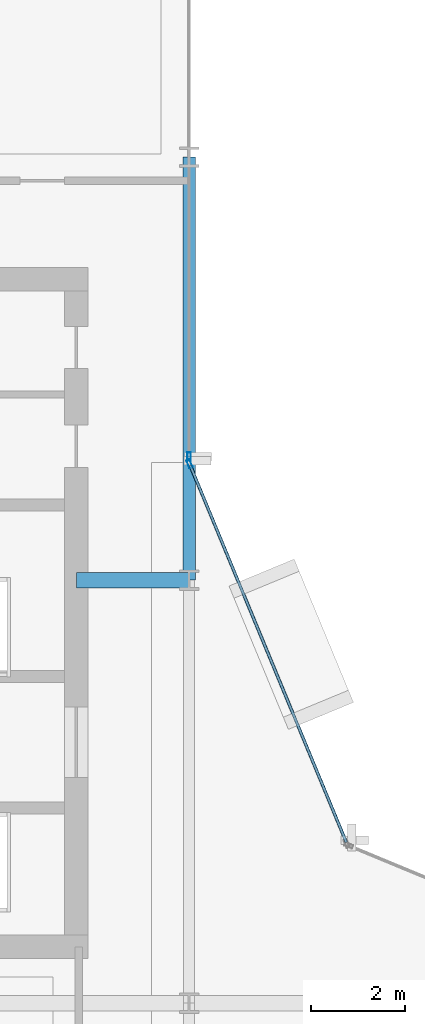
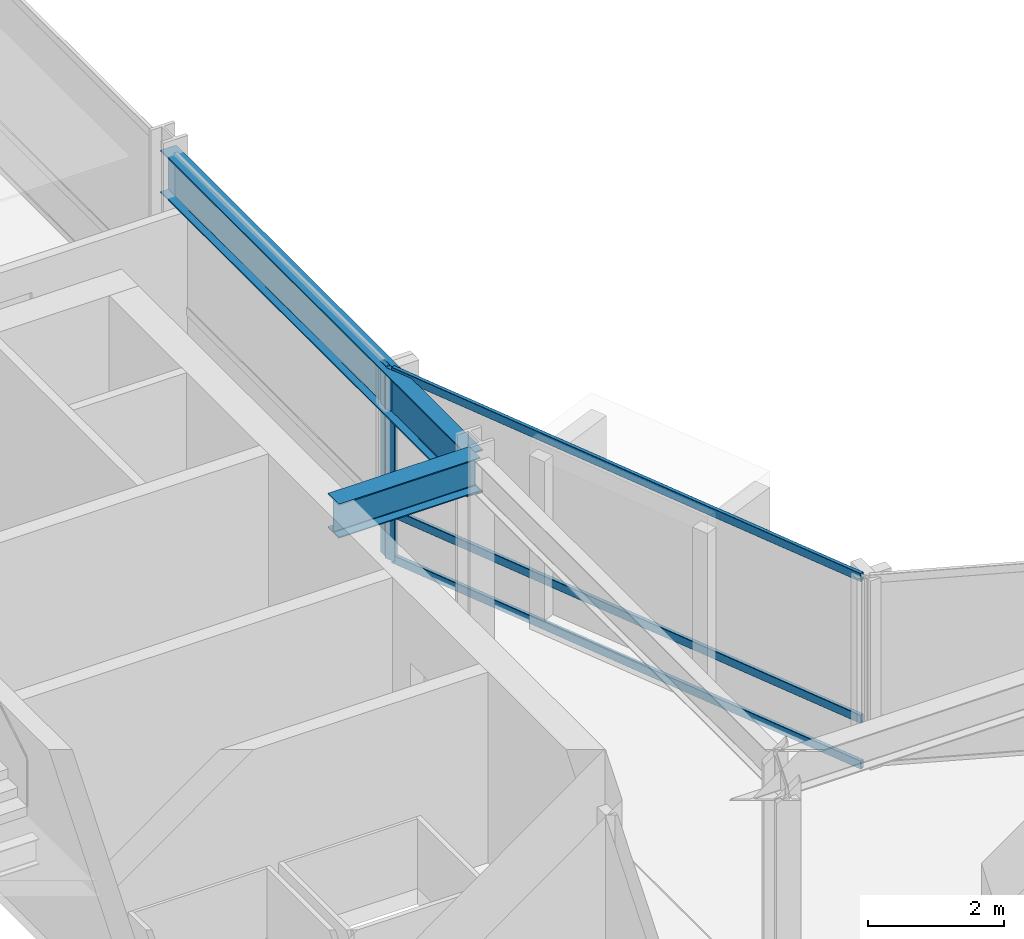
# One storey, part 17 of 29: 5 members, 2 beams, 2 elements without a shape of their own.
"""IFC4 building model written with IfcOpenShell, lengths in metres."""

from ifc_helpers import new_model, si_unit, direction, frame, origin, origin_2d, place, context, subcontext, project, spatial, hollow_rectangle, i_section, extrude, material, layer, layer_set, material_profile, profile_set, type_object, element, aggregate, save


model = new_model("IFC4")

# Units and contexts
model_context = context("Model", 3, precision=1e-05, world=origin(), true_north=direction((0.0, 1.0)))
body_context = subcontext(model_context, "Body", "Model", "MODEL_VIEW")
ifc_project = project(units=[si_unit("LENGTHUNIT", "METRE"), si_unit("AREAUNIT", "SQUARE_METRE"), si_unit("VOLUMEUNIT", "CUBIC_METRE"), si_unit("PLANEANGLEUNIT", "RADIAN"), si_unit("MASSUNIT", "GRAM", prefix="KILO")], contexts=[model_context])

# Site, building, storey
site_placement = place(None, origin())
site = spatial("IfcSite", under=ifc_project, at=site_placement, CompositionType="ELEMENT")
building_placement = place(site_placement, origin())
building = spatial("IfcBuilding", under=site, at=building_placement, Name="Solvaryn Broadcast Tower", CompositionType="ELEMENT")
storey_placement = place(building_placement, frame((0.0, 0.0, 143.300048828125)))
storey = spatial("IfcBuildingStorey", under=building, at=storey_placement, Name="L35", CompositionType="ELEMENT", Elevation=143.300048828125)

# Beams
ifc_material_1 = material(Name="Steel ASTM A992 Grade 50", Category="steel")
ifc_material_profile_1 = material_profile(ifc_material_1, i_section(OverallWidth=0.323974609375, OverallDepth=0.611083984375, WebThickness=0.0126953125, FlangeThickness=0.01904296875, FilletRadius=0.014892578125, at=origin_2d()))
ifc_profile_set_1 = profile_set([ifc_material_profile_1], Name="Steel ASTM A992 Grade 50")
beam_type_1 = type_object("IfcBeamType", Name="BM-B1-W24X104", PredefinedType="BEAM", material=ifc_profile_set_1)
beam_1_placement = place(storey_placement, frame((24.60009765625, 36.0, 3.114501953125), z_axis=(1.0, 0.0, 0.0), x_axis=(0.0, 1.0, 0.0)))
element("IfcBeam", 1, at=beam_1_placement, inside=storey, type_object=beam_type_1, Name="L35 Core Tie Beam CTW2", PredefinedType="BEAM", context=body_context, shape_type="SweptSolid", body=[
    extrude(i_section(OverallWidth=0.323974609375, OverallDepth=0.611083984375, WebThickness=0.0126953125, FlangeThickness=0.01904296875, FilletRadius=0.014892578125, at=origin_2d()), origin(), (0.0, 0.0, 1.0), 2.39990234375),
])
ifc_material_2 = material(Name="Steel ASTM A992 Grade 50", Category="steel")
ifc_material_profile_2 = material_profile(ifc_material_2, i_section(OverallWidth=0.26708984375, OverallDepth=0.76611328125, WebThickness=0.014892578125, FlangeThickness=0.023681640625, FilletRadius=0.01806640625, at=origin_2d()))
ifc_profile_set_2 = profile_set([ifc_material_profile_2], Name="Steel ASTM A992 Grade 50")
beam_type_2 = type_object("IfcBeamType", Name="BM-SP2-W30X124", PredefinedType="USERDEFINED", material=ifc_profile_set_2)
beam_2_placement = place(storey_placement, frame((27.0, 36.0, 3.036865234375), z_axis=(0.0, 1.0, 0.0), x_axis=(-1.0, 0.0, 0.0)))
element("IfcBeam", 2, at=beam_2_placement, inside=storey, type_object=beam_type_2, Name="L35 Spandrel Beam Y (36-45 @ X=27)", ObjectType="SPANDREL", PredefinedType="USERDEFINED", context=body_context, shape_type="SweptSolid", body=[
    extrude(i_section(OverallWidth=0.26708984375, OverallDepth=0.76611328125, WebThickness=0.014892578125, FlangeThickness=0.023681640625, FilletRadius=0.01806640625, at=origin_2d()), origin(), (0.0, 0.0, 1.0), 9.0),
])

# Curtain wall, member
ifc_material_3 = material(Name="Aluminium and Terracotta Unitised Curtain Wall", Category="masonry")
ifc_layer = layer(ifc_material_3, 0.199951171875)
ifc_layer_set = layer_set([ifc_layer], Name="CW-SYS2-LOWMID")
curtain_wall_type = type_object("IfcCurtainWallType", Name="CW-SYS2-LOWMID", PredefinedType="NOTDEFINED", material=ifc_layer_set)
curtain_wall_1_placement = place(storey_placement, origin())
curtain_wall_1 = element("IfcCurtainWall", 3, at=curtain_wall_1_placement, inside=storey, type_object=curtain_wall_type, Name="L35 Curtain Wall IV", PredefinedType="NOTDEFINED")
ifc_material_4 = material(Name="Anodised Aluminium 6063-T6", Category="aluminium")
ifc_material_profile_3 = material_profile(ifc_material_4, hollow_rectangle(XDim=0.074951171875, YDim=0.179931640625, WallThickness=0.00390625, InnerFilletRadius=0.00390625, OuterFilletRadius=0.008056640625, at=origin_2d()))
ifc_profile_set_3 = profile_set([ifc_material_profile_3], Name="Anodised Aluminium 6063-T6")
member_type_1 = type_object("IfcMemberType", Name="CW-MUL-180", PredefinedType="MULLION", material=ifc_profile_set_3)
member_1_placement = place(storey_placement, frame((27.0, 38.6298828125, 0.0), z_axis=(0.0, 0.0, 1.0), x_axis=(1.0, 0.0, 0.0)))
member_1 = element("IfcMember", 4, at=member_1_placement, type_object=member_type_1, Name="CWS2 mullion 2", PredefinedType="MULLION", context=body_context, shape_type="SweptSolid", body=[
    extrude(hollow_rectangle(XDim=0.074951171875, YDim=0.179931640625, WallThickness=0.00390625, InnerFilletRadius=0.00390625, OuterFilletRadius=0.008056640625, at=origin_2d()), origin(), (0.0, 0.0, 1.0), 3.419921875),
])
aggregate(curtain_wall_1, [member_1])

# Curtain wall, members
curtain_wall_2_placement = place(storey_placement, origin())
curtain_wall_2 = element("IfcCurtainWall", 5, at=curtain_wall_2_placement, inside=storey, type_object=curtain_wall_type, Name="L35 Curtain Wall CN2", PredefinedType="NOTDEFINED")
member_2_placement = place(storey_placement, frame((27.011474609375, 38.47216796875, 0.0), z_axis=(0.0, 0.0, 1.0), x_axis=(-0.923894983957, -0.382646127145, 0.0)))
member_2 = element("IfcMember", 6, at=member_2_placement, type_object=member_type_1, Name="CWS2 mullion 2", PredefinedType="MULLION", context=body_context, shape_type="SweptSolid", body=[
    extrude(hollow_rectangle(XDim=0.074951171875, YDim=0.179931640625, WallThickness=0.00390625, InnerFilletRadius=0.00390625, OuterFilletRadius=0.008056640625, at=origin_2d()), origin(), (0.0, 0.0, 1.0), 3.419921875),
])
ifc_material_5 = material(Name="Anodised Aluminium 6063-T6", Category="aluminium")
ifc_material_profile_4 = material_profile(ifc_material_5, hollow_rectangle(XDim=0.06494140625, YDim=0.14990234375, WallThickness=0.00390625, InnerFilletRadius=0.00390625, OuterFilletRadius=0.008056640625, at=origin_2d()))
ifc_profile_set_4 = profile_set([ifc_material_profile_4], Name="Anodised Aluminium 6063-T6")
member_type_2 = type_object("IfcMemberType", Name="CW-TRN-150", PredefinedType="USERDEFINED", material=ifc_profile_set_4)
member_3_placement = place(storey_placement, frame((30.344970703125, 30.42333984375, 0.030029296875), z_axis=(-0.382635748975, 0.923899282177, 0.0), x_axis=(-0.923899282177, -0.382635748975, 0.0)))
member_3 = element("IfcMember", 7, at=member_3_placement, type_object=member_type_2, Name="CWS2 transom 1.1", ObjectType="TRANSOM", PredefinedType="USERDEFINED", context=body_context, shape_type="SweptSolid", body=[
    extrude(hollow_rectangle(XDim=0.06494140625, YDim=0.14990234375, WallThickness=0.00390625, InnerFilletRadius=0.00390625, OuterFilletRadius=0.008056640625, at=origin_2d()), origin(), (0.0, 0.0, 1.0), 8.681884765625),
])
member_4_placement = place(storey_placement, frame((30.344970703125, 30.42333984375, 0.849853515625), z_axis=(-0.382635748975, 0.923899282177, 0.0), x_axis=(-0.923899282177, -0.382635748975, 0.0)))
member_4 = element("IfcMember", 8, at=member_4_placement, type_object=member_type_2, Name="CWS2 transom 1.2", ObjectType="TRANSOM", PredefinedType="USERDEFINED", context=body_context, shape_type="SweptSolid", body=[
    extrude(hollow_rectangle(XDim=0.06494140625, YDim=0.14990234375, WallThickness=0.00390625, InnerFilletRadius=0.00390625, OuterFilletRadius=0.008056640625, at=origin_2d()), origin(), (0.0, 0.0, 1.0), 8.681884765625),
])
member_5_placement = place(storey_placement, frame((30.344970703125, 30.42333984375, 3.389892578125), z_axis=(-0.382635748975, 0.923899282177, 0.0), x_axis=(-0.923899282177, -0.382635748975, 0.0)))
member_5 = element("IfcMember", 9, at=member_5_placement, type_object=member_type_2, Name="CWS2 transom 1.3", ObjectType="TRANSOM", PredefinedType="USERDEFINED", context=body_context, shape_type="SweptSolid", body=[
    extrude(hollow_rectangle(XDim=0.06494140625, YDim=0.14990234375, WallThickness=0.00390625, InnerFilletRadius=0.00390625, OuterFilletRadius=0.008056640625, at=origin_2d()), origin(), (0.0, 0.0, 1.0), 8.681884765625),
])
aggregate(curtain_wall_2, [member_2, member_3, member_4, member_5])

save(model, "model.ifc")
